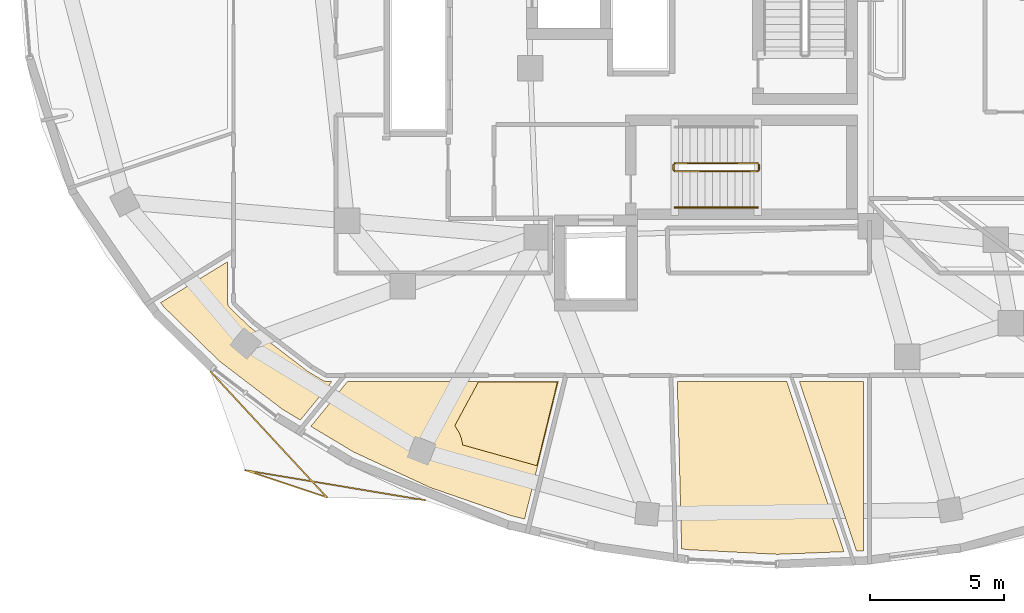
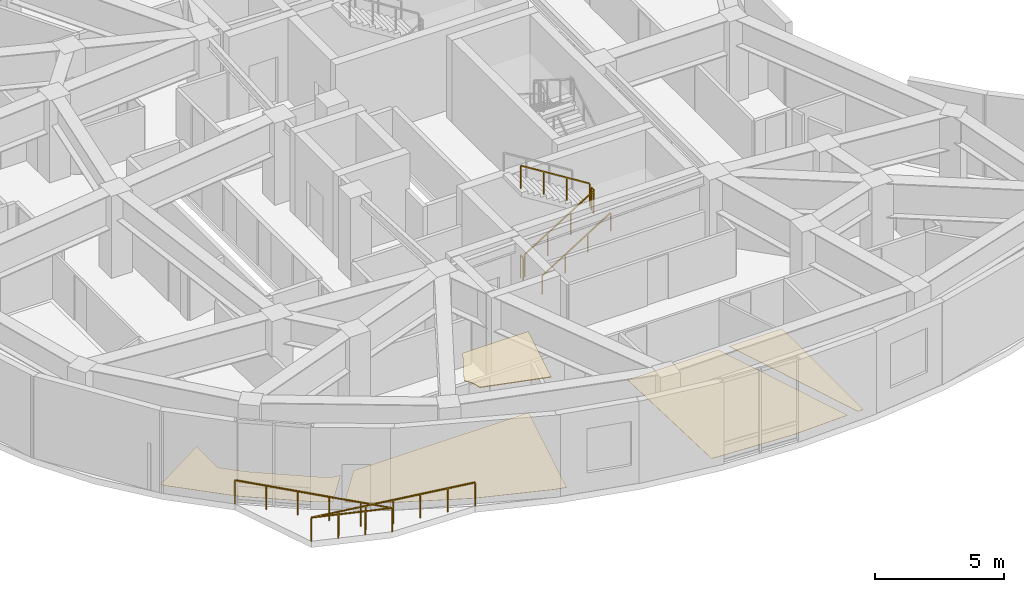
# One storey, part 11 of 13: 6 railings, 5 coverings.
"""IFC4 building model written with IfcOpenShell, lengths in metres."""

from ifc_helpers import new_model, si_unit, direction, frame, origin, origin_2d, place, context, subcontext, project, spatial, polyline, rectangle, outline, extrude, material, layer, layer_set, type_object, element, save


model = new_model("IFC4")

# Units and contexts
model_context = context("Model", 3, precision=1e-05, world=origin(), true_north=direction((0.0, 1.0)))
body_context = subcontext(model_context, "Body", "Model", "MODEL_VIEW")
ifc_project = project(units=[si_unit("LENGTHUNIT", "METRE"), si_unit("AREAUNIT", "SQUARE_METRE"), si_unit("VOLUMEUNIT", "CUBIC_METRE"), si_unit("PLANEANGLEUNIT", "RADIAN"), si_unit("MASSUNIT", "GRAM", prefix="KILO")], contexts=[model_context])

# Site, building, storey
site_placement = place(None, origin())
site = spatial("IfcSite", under=ifc_project, at=site_placement, CompositionType="ELEMENT")
building_placement = place(site_placement, origin())
building = spatial("IfcBuilding", under=site, at=building_placement, Name="Korentha Bioscience Tower", CompositionType="ELEMENT")
storey_placement = place(building_placement, frame((0.0, 0.0, 256.199951171875)))
storey = spatial("IfcBuildingStorey", under=building, at=storey_placement, Name="L59", CompositionType="ELEMENT", Elevation=256.199951171875)

# Railings
ifc_material_1 = material(Name="Stainless Steel 304", Category="steel")
railing_type_1 = type_object("IfcRailingType", Name="Brushed Stainless Stair Handrail 900", PredefinedType="HANDRAIL", material=ifc_material_1)
railing_1_placement = place(storey_placement, frame((30.25, 18.85009765625, 0.175048828125)))
element("IfcRailing", 1, at=railing_1_placement, inside=storey, type_object=railing_type_1, Name="L59 ST-2 stair handrail 1", PredefinedType="HANDRAIL", context=body_context, shape_type="SweptSolid", body=[
    extrude(rectangle(XDim=0.048095703125, YDim=0.048095703125, at=origin_2d()), frame((0.0, 0.0, 0.8759765625), z_axis=(0.847998304005, 0.0, 0.529998940003), x_axis=(0.0, 1.0, 0.0)), (0.0, 0.0, 1.0), 3.632080078125),
    extrude(rectangle(XDim=0.0419921875, YDim=0.0419921875, at=origin_2d()), origin(), (0.0, 0.0, 1.0), 0.851806640625),
    extrude(rectangle(XDim=0.0419921875, YDim=0.0419921875, at=origin_2d()), frame((1.026611328125, 0.0, 0.6416015625)), (0.0, 0.0, 1.0), 0.851806640625),
    extrude(rectangle(XDim=0.0419921875, YDim=0.0419921875, at=origin_2d()), frame((2.053466796875, 0.0, 1.283447265625)), (0.0, 0.0, 1.0), 0.851806640625),
    extrude(rectangle(XDim=0.0419921875, YDim=0.0419921875, at=origin_2d()), frame((3.080078125, 0.0, 1.925048828125)), (0.0, 0.0, 1.0), 0.851806640625),
])
ifc_material_2 = material(Name="Laminated Tempered Safety Glass", Category="glass")
railing_type_2 = type_object("IfcRailingType", Name="Laminated Glass Balcony Guardrail 1150", PredefinedType="BALUSTRADE", material=ifc_material_2)
railing_2_placement = place(storey_placement, frame((12.923095703125, 12.738525390625, 0.0)))
element("IfcRailing", 2, at=railing_2_placement, inside=storey, type_object=railing_type_2, Name="L59 Balcony Guardrail 03", PredefinedType="BALUSTRADE", context=body_context, shape_type="SweptSolid", body=[
    extrude(rectangle(XDim=0.048095703125, YDim=0.048095703125, at=origin_2d()), frame((0.0, 0.0, 1.1259765625), z_axis=(0.679293873766, -0.733866359131, 0.0), x_axis=(0.733866359131, 0.679293873766, 0.0)), (0.0, 0.0, 1.0), 6.3974609375),
    extrude(rectangle(XDim=0.048095703125, YDim=0.048095703125, at=origin_2d()), frame((4.345703125, -4.69482421875, 1.1259765625), z_axis=(-0.949154381001, 0.314810992543, 0.0), x_axis=(-0.314810992543, -0.949154381001, 0.0)), (0.0, 0.0, 1.0), 3.2060546875),
    extrude(rectangle(XDim=0.048095703125, YDim=0.048095703125, at=origin_2d()), frame((1.302734375, -3.685546875, 1.1259765625), z_axis=(0.986355078358, -0.164631890581, 0.0), x_axis=(0.164631890581, 0.986355078358, 0.0)), (0.0, 0.0, 1.0), 6.79931640625),
    extrude(rectangle(XDim=0.0419921875, YDim=0.0419921875, at=origin_2d()), origin(), (0.0, 0.0, 1.0), 1.101806640625),
    extrude(rectangle(XDim=0.0419921875, YDim=0.0419921875, at=origin_2d()), frame((0.869140625, -0.93896484375, 0.0)), (0.0, 0.0, 1.0), 1.101806640625),
    extrude(rectangle(XDim=0.0419921875, YDim=0.0419921875, at=origin_2d()), frame((1.73828125, -1.8779296875, 0.0)), (0.0, 0.0, 1.0), 1.101806640625),
    extrude(rectangle(XDim=0.0419921875, YDim=0.0419921875, at=origin_2d()), frame((2.607421875, -2.81689453125, 0.0)), (0.0, 0.0, 1.0), 1.101806640625),
    extrude(rectangle(XDim=0.0419921875, YDim=0.0419921875, at=origin_2d()), frame((3.4765625, -3.755859375, 0.0)), (0.0, 0.0, 1.0), 1.101806640625),
    extrude(rectangle(XDim=0.0419921875, YDim=0.0419921875, at=origin_2d()), frame((4.345703125, -4.69482421875, 0.0)), (0.0, 0.0, 1.0), 1.101806640625),
    extrude(rectangle(XDim=0.0419921875, YDim=0.0419921875, at=origin_2d()), frame((3.331298828125, -4.3583984375, 0.0)), (0.0, 0.0, 1.0), 1.101806640625),
    extrude(rectangle(XDim=0.0419921875, YDim=0.0419921875, at=origin_2d()), frame((2.317138671875, -4.02197265625, 0.0)), (0.0, 0.0, 1.0), 1.101806640625),
    extrude(rectangle(XDim=0.0419921875, YDim=0.0419921875, at=origin_2d()), frame((1.302734375, -3.685546875, 0.0)), (0.0, 0.0, 1.0), 1.101806640625),
    extrude(rectangle(XDim=0.0419921875, YDim=0.0419921875, at=origin_2d()), frame((2.42041015625, -3.8720703125, 0.0)), (0.0, 0.0, 1.0), 1.101806640625),
    extrude(rectangle(XDim=0.0419921875, YDim=0.0419921875, at=origin_2d()), frame((3.538330078125, -4.05859375, 0.0)), (0.0, 0.0, 1.0), 1.101806640625),
    extrude(rectangle(XDim=0.0419921875, YDim=0.0419921875, at=origin_2d()), frame((4.656005859375, -4.2451171875, 0.0)), (0.0, 0.0, 1.0), 1.101806640625),
    extrude(rectangle(XDim=0.0419921875, YDim=0.0419921875, at=origin_2d()), frame((5.773681640625, -4.431884765625, 0.0)), (0.0, 0.0, 1.0), 1.101806640625),
    extrude(rectangle(XDim=0.0419921875, YDim=0.0419921875, at=origin_2d()), frame((6.8916015625, -4.618408203125, 0.0)), (0.0, 0.0, 1.0), 1.101806640625),
    extrude(rectangle(XDim=0.0419921875, YDim=0.0419921875, at=origin_2d()), frame((8.00927734375, -4.804931640625, 0.0)), (0.0, 0.0, 1.0), 1.101806640625),
])

# Covering
ifc_material_3 = material(Name="Antimicrobial Mineral Fibre Board", Category="gypsum")
ifc_layer_1 = layer(ifc_material_3, 0.034912109375, Name="Antimicrobial Mineral Fibre Board")
ifc_layer_set_1 = layer_set([ifc_layer_1], Name="Antimicrobial Mineral Fibre Board (CL-MF35)")
covering_type_1 = type_object("IfcCoveringType", Name="Mineral-Fibre Cleanroom Suspended Ceiling 35", PredefinedType="CEILING", material=ifc_layer_set_1)
covering_1_placement = place(storey_placement, frame((0.0, 0.0, 3.864990234375)))
element("IfcCovering", 3, at=covering_1_placement, inside=storey, type_object=covering_type_1, Name="L59 Cold-Chain Stability Chamber 05 Acoustic Ceiling", PredefinedType="CEILING", context=body_context, shape_type="SweptSolid", body=[
    extrude(outline(polyline([(25.09912109375, 9.22216796875), (22.336181640625, 9.99462890625), (22.286376953125, 10.2294921875), (22.235107421875, 10.372802734375), (22.169921875, 10.51025390625), (22.03857421875, 10.71240234375), (22.914794921875, 12.33740234375), (25.86474609375, 12.33984375), (25.09912109375, 9.22216796875)])), origin(), (0.0, 0.0, 1.0), 0.03515625),
])

# Railings
ifc_material_4 = material(Name="Painted Steel S275", Category="steel")
railing_type_3 = type_object("IfcRailingType", Name="Painted Steel Stair Well Guardrail 1100", PredefinedType="GUARDRAIL", material=ifc_material_4)
railing_3_placement = place(storey_placement, frame((30.25, 20.199951171875, 0.175048828125)))
element("IfcRailing", 4, at=railing_3_placement, inside=storey, type_object=railing_type_3, Name="L59 ST-2 stair guard 1", PredefinedType="GUARDRAIL", context=body_context, shape_type="SweptSolid", body=[
    extrude(rectangle(XDim=0.048095703125, YDim=0.048095703125, at=origin_2d()), frame((0.0, 0.0, 1.076171875), z_axis=(0.847998304005, 0.0, 0.529998940003), x_axis=(0.0, 1.0, 0.0)), (0.0, 0.0, 1.0), 3.632080078125),
    extrude(rectangle(XDim=0.0419921875, YDim=0.0419921875, at=origin_2d()), origin(), (0.0, 0.0, 1.0), 1.052001953125),
    extrude(rectangle(XDim=0.0419921875, YDim=0.0419921875, at=origin_2d()), frame((1.026611328125, 0.0, 0.6416015625)), (0.0, 0.0, 1.0), 1.052001953125),
    extrude(rectangle(XDim=0.0419921875, YDim=0.0419921875, at=origin_2d()), frame((2.053466796875, 0.0, 1.283447265625)), (0.0, 0.0, 1.0), 1.052001953125),
    extrude(rectangle(XDim=0.0419921875, YDim=0.0419921875, at=origin_2d()), frame((3.080078125, 0.0, 1.925048828125)), (0.0, 0.0, 1.0), 1.052001953125),
])
railing_4_placement = place(storey_placement, frame((33.3798828125, 20.25, 2.10009765625)))
element("IfcRailing", 5, at=railing_4_placement, inside=storey, type_object=railing_type_3, Name="L59 ST-2 stair guard 2", PredefinedType="GUARDRAIL", context=body_context, shape_type="SweptSolid", body=[
    extrude(rectangle(XDim=0.048095703125, YDim=0.048095703125, at=origin_2d()), frame((0.0, 0.0, 1.076171875), z_axis=(0.0, 1.0, 0.0), x_axis=(-1.0, 0.0, 0.0)), (0.0, 0.0, 1.0), 0.199951171875),
    extrude(rectangle(XDim=0.0419921875, YDim=0.0419921875, at=origin_2d()), origin(), (0.0, 0.0, 1.0), 1.052001953125),
    extrude(rectangle(XDim=0.0419921875, YDim=0.0419921875, at=origin_2d()), frame((0.0, 0.199951171875, 0.0)), (0.0, 0.0, 1.0), 1.052001953125),
])
railing_5_placement = place(storey_placement, frame((33.330078125, 20.5, 2.275146484375)))
element("IfcRailing", 6, at=railing_5_placement, inside=storey, type_object=railing_type_3, Name="L59 ST-2 stair guard 3", PredefinedType="GUARDRAIL", context=body_context, shape_type="SweptSolid", body=[
    extrude(rectangle(XDim=0.048095703125, YDim=0.048095703125, at=origin_2d()), frame((0.0, 0.0, 1.076171875), z_axis=(-0.848028513186, 0.0, 0.529950602248), x_axis=(0.0, -1.0, 0.0)), (0.0, 0.0, 1.0), 3.632080078125),
    extrude(rectangle(XDim=0.0419921875, YDim=0.0419921875, at=origin_2d()), origin(), (0.0, 0.0, 1.0), 1.052001953125),
    extrude(rectangle(XDim=0.0419921875, YDim=0.0419921875, at=origin_2d()), frame((-1.026611328125, 0.0, 0.6416015625)), (0.0, 0.0, 1.0), 1.052001953125),
    extrude(rectangle(XDim=0.0419921875, YDim=0.0419921875, at=origin_2d()), frame((-2.053466796875, 0.0, 1.283203125)), (0.0, 0.0, 1.0), 1.052001953125),
    extrude(rectangle(XDim=0.0419921875, YDim=0.0419921875, at=origin_2d()), frame((-3.080078125, 0.0, 1.9248046875)), (0.0, 0.0, 1.0), 1.052001953125),
])
railing_6_placement = place(storey_placement, frame((30.199951171875, 20.25, 0.0)))
element("IfcRailing", 7, at=railing_6_placement, inside=storey, type_object=railing_type_3, Name="L59 ST-2 stair guard 4", PredefinedType="GUARDRAIL", context=body_context, shape_type="SweptSolid", body=[
    extrude(rectangle(XDim=0.048095703125, YDim=0.048095703125, at=origin_2d()), frame((0.0, 0.0, 1.076171875), z_axis=(0.0, 1.0, 0.0), x_axis=(-1.0, 0.0, 0.0)), (0.0, 0.0, 1.0), 0.199951171875),
    extrude(rectangle(XDim=0.0419921875, YDim=0.0419921875, at=origin_2d()), origin(), (0.0, 0.0, 1.0), 1.052001953125),
    extrude(rectangle(XDim=0.0419921875, YDim=0.0419921875, at=origin_2d()), frame((0.0, 0.199951171875, 0.0)), (0.0, 0.0, 1.0), 1.052001953125),
])

# Coverings
ifc_material_5 = material(Name="Chemical-Resistant Epoxy Resin", Category="polymer")
ifc_layer_2 = layer(ifc_material_5, 0.011962890625, Name="Chemical-Resistant Epoxy Resin")
ifc_layer_set_2 = layer_set([ifc_layer_2], Name="Chemical-Resistant Epoxy Resin (FL-EPX)")
covering_type_2 = type_object("IfcCoveringType", Name="Seamless Epoxy Laboratory Flooring 12", PredefinedType="FLOORING", material=ifc_layer_set_2)
covering_2_placement = place(storey_placement, origin())
element("IfcCovering", 8, at=covering_2_placement, inside=storey, type_object=covering_type_2, Name="L59 Staff Pantry Kitchenette 03 Floor Finish", PredefinedType="FLOORING", context=body_context, shape_type="SweptSolid", body=[
    extrude(outline(polyline([(11.202392578125, 15.128662109375), (11.0673828125, 15.299072265625), (13.570068359375, 16.832763671875), (13.5703125, 15.280517578125), (13.583984375, 15.21240234375), (13.631103515625, 15.13525390625), (14.37158203125, 14.413330078125), (16.565185546875, 12.735595703125), (17.145263671875, 12.388427734375), (17.224853515625, 12.370361328125), (17.463623046875, 12.3701171875), (16.279296875, 10.923095703125), (15.618896484375, 11.319091796875), (13.25732421875, 13.125), (11.202392578125, 15.128662109375)])), origin(), (0.0, 0.0, 1.0), 0.011962890625),
])
covering_3_placement = place(storey_placement, origin())
element("IfcCovering", 9, at=covering_3_placement, inside=storey, type_object=covering_type_2, Name="L59 Cold-Chain Stability Chamber 05 Floor Finish", PredefinedType="FLOORING", context=body_context, shape_type="SweptSolid", body=[
    extrude(outline(polyline([(18.25390625, 9.738525390625), (16.66943359375, 10.68896484375), (18.0400390625, 12.36376953125), (25.903076171875, 12.369873046875), (24.641845703125, 7.2353515625), (24.186767578125, 7.34521484375), (21.123779296875, 8.406982421875), (18.25390625, 9.738525390625)])), origin(), (0.0, 0.0, 1.0), 0.011962890625),
])
covering_4_placement = place(storey_placement, origin())
element("IfcCovering", 10, at=covering_4_placement, inside=storey, type_object=covering_type_2, Name="L59 Senior Scientist Corner Office 07 Floor Finish", PredefinedType="FLOORING", context=body_context, shape_type="SweptSolid", body=[
    extrude(outline(polyline([(30.336181640625, 12.3701171875), (34.414306640625, 12.3701171875), (36.552978515625, 6.015625), (34.076171875, 5.9169921875), (30.7109375, 6.0908203125), (30.5, 6.12109375), (30.336181640625, 12.3701171875)])), origin(), (0.0, 0.0, 1.0), 0.011962890625),
])
covering_5_placement = place(storey_placement, origin())
element("IfcCovering", 11, at=covering_5_placement, inside=storey, type_object=covering_type_2, Name="L59 Daylight Break and Coffee Bar 09 Floor Finish", PredefinedType="FLOORING", context=body_context, shape_type="SweptSolid", body=[
    extrude(outline(polyline([(34.88916015625, 12.3701171875), (37.278076171875, 12.3701171875), (37.278076171875, 6.04443359375), (37.021484375, 6.0341796875), (34.88916015625, 12.3701171875)])), origin(), (0.0, 0.0, 1.0), 0.011962890625),
])

save(model, "model.ifc")
